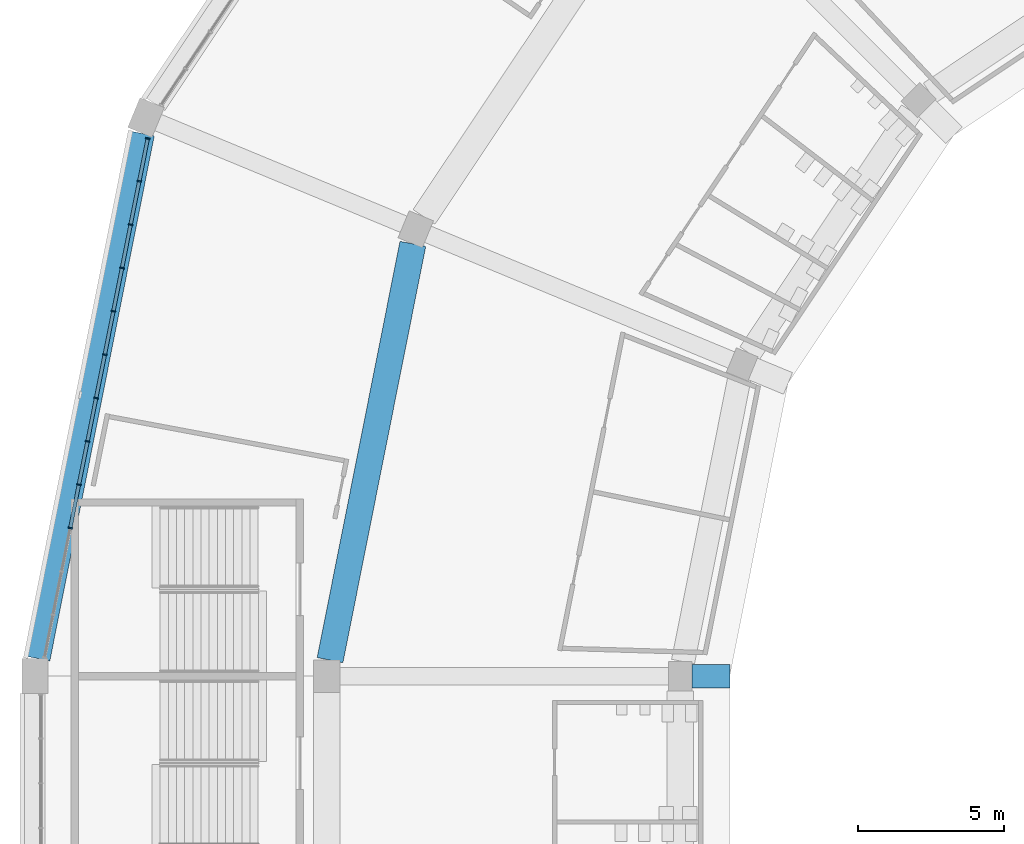
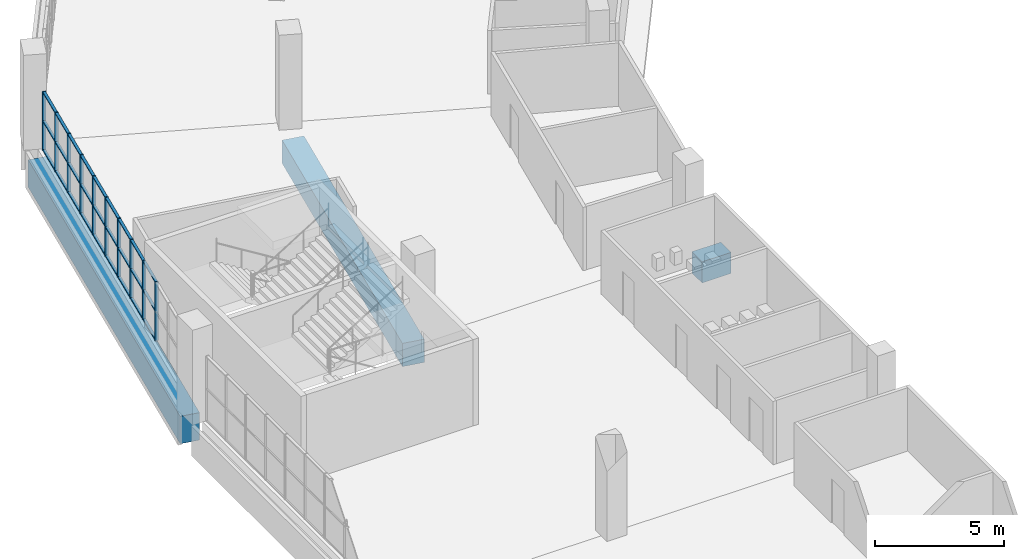
# One storey, part 36 of 199: 37 members, 3 beams, 1 element without a shape of its own.
"""IFC4 building model written with IfcOpenShell, lengths in metres."""

from ifc_helpers import new_model, si_unit, direction, frame, origin, origin_2d, place, context, subcontext, project, spatial, rectangle, extrude, material, material_profile, profile_set, type_object, element, aggregate, save


model = new_model("IFC4")

# Units and contexts
model_context = context("Model", 3, precision=1e-05, world=origin(), true_north=direction((0.0, 1.0)))
body_context = subcontext(model_context, "Body", "Model", "MODEL_VIEW")
ifc_project = project(units=[si_unit("LENGTHUNIT", "METRE"), si_unit("AREAUNIT", "SQUARE_METRE"), si_unit("VOLUMEUNIT", "CUBIC_METRE"), si_unit("PLANEANGLEUNIT", "RADIAN"), si_unit("MASSUNIT", "GRAM", prefix="KILO")], contexts=[model_context])

# Site, building, storey
site_placement = place(None, origin())
site = spatial("IfcSite", under=ifc_project, at=site_placement, CompositionType="ELEMENT")
building_placement = place(site_placement, origin())
building = spatial("IfcBuilding", under=site, at=building_placement, Name="Ogive Plaza Stadium", CompositionType="ELEMENT")
storey_placement = place(building_placement, frame((0.0, 0.0, 4.5)))
storey = spatial("IfcBuildingStorey", under=building, at=storey_placement, Name="L01", CompositionType="ELEMENT", Elevation=4.5)

# Curtain wall, members
ifc_material_1 = material(Name="Bronze-anodised aluminium with laminated glass", Category="aluminium")
curtain_wall_type = type_object("IfcCurtainWallType", Name="Lancet curtain wall", PredefinedType="NOTDEFINED", material=ifc_material_1)
curtain_wall_placement = place(storey_placement, origin())
curtain_wall = element("IfcCurtainWall", 1, at=curtain_wall_placement, inside=storey, type_object=curtain_wall_type, Name="CURTAIN WALL B28 L01", PredefinedType="NOTDEFINED")
ifc_material_2 = material(Name="Bronze-anodised aluminium", Category="aluminium")
ifc_material_profile_1 = material_profile(ifc_material_2, rectangle(XDim=0.14990234375, YDim=0.050048828125, at=origin_2d()), Name="AL 150x50")
ifc_profile_set_1 = profile_set([ifc_material_profile_1], Name="Bronze-anodised aluminium")
member_type_1 = type_object("IfcMemberType", Name="Curtain wall mullion 50x150", PredefinedType="MULLION", material=ifc_profile_set_1)
member_1_placement = place(storey_placement, frame((-82.786865234375, 57.57373046875, 0.0), z_axis=(0.0, 0.0, 1.0), x_axis=(-0.980785280403, 0.195090322016, 0.0)))
member_1 = element("IfcMember", 2, at=member_1_placement, type_object=member_type_1, Name="CW-B28-L01 mullion 4", PredefinedType="MULLION", context=body_context, shape_type="SweptSolid", body=[
    extrude(rectangle(XDim=0.14990234375, YDim=0.050048828125, at=origin_2d()), origin(), (0.0, 0.0, 1.0), 2.7900390625),
])
member_2_placement = place(storey_placement, frame((-82.491455078125, 59.05859375, 0.0), z_axis=(0.0, 0.0, 1.0), x_axis=(-0.980785280403, 0.195090322016, 0.0)))
member_2 = element("IfcMember", 3, at=member_2_placement, type_object=member_type_1, Name="CW-B28-L01 mullion 5", PredefinedType="MULLION", context=body_context, shape_type="SweptSolid", body=[
    extrude(rectangle(XDim=0.14990234375, YDim=0.050048828125, at=origin_2d()), origin(), (0.0, 0.0, 1.0), 2.7900390625),
])
member_3_placement = place(storey_placement, frame((-82.1962890625, 60.543212890625, 0.0), z_axis=(0.0, 0.0, 1.0), x_axis=(-0.980785280403, 0.195090322016, 0.0)))
member_3 = element("IfcMember", 4, at=member_3_placement, type_object=member_type_1, Name="CW-B28-L01 mullion 6", PredefinedType="MULLION", context=body_context, shape_type="SweptSolid", body=[
    extrude(rectangle(XDim=0.14990234375, YDim=0.050048828125, at=origin_2d()), origin(), (0.0, 0.0, 1.0), 2.7900390625),
])
member_4_placement = place(storey_placement, frame((-81.90087890625, 62.028076171875, 0.0), z_axis=(0.0, 0.0, 1.0), x_axis=(-0.980785280403, 0.195090322016, 0.0)))
member_4 = element("IfcMember", 5, at=member_4_placement, type_object=member_type_1, Name="CW-B28-L01 mullion 7", PredefinedType="MULLION", context=body_context, shape_type="SweptSolid", body=[
    extrude(rectangle(XDim=0.14990234375, YDim=0.050048828125, at=origin_2d()), origin(), (0.0, 0.0, 1.0), 2.7900390625),
])
member_5_placement = place(storey_placement, frame((-81.60546875, 63.512939453125, 0.0), z_axis=(0.0, 0.0, 1.0), x_axis=(-0.980785280403, 0.195090322016, 0.0)))
member_5 = element("IfcMember", 6, at=member_5_placement, type_object=member_type_1, Name="CW-B28-L01 mullion 8", PredefinedType="MULLION", context=body_context, shape_type="SweptSolid", body=[
    extrude(rectangle(XDim=0.14990234375, YDim=0.050048828125, at=origin_2d()), origin(), (0.0, 0.0, 1.0), 2.7900390625),
])
member_6_placement = place(storey_placement, frame((-81.31005859375, 64.99755859375, 0.0), z_axis=(0.0, 0.0, 1.0), x_axis=(-0.980785280403, 0.195090322016, 0.0)))
member_6 = element("IfcMember", 7, at=member_6_placement, type_object=member_type_1, Name="CW-B28-L01 mullion 9", PredefinedType="MULLION", context=body_context, shape_type="SweptSolid", body=[
    extrude(rectangle(XDim=0.14990234375, YDim=0.050048828125, at=origin_2d()), origin(), (0.0, 0.0, 1.0), 2.7900390625),
])
member_7_placement = place(storey_placement, frame((-81.014892578125, 66.482421875, 0.0), z_axis=(0.0, 0.0, 1.0), x_axis=(-0.980785280403, 0.195090322016, 0.0)))
member_7 = element("IfcMember", 8, at=member_7_placement, type_object=member_type_1, Name="CW-B28-L01 mullion 10", PredefinedType="MULLION", context=body_context, shape_type="SweptSolid", body=[
    extrude(rectangle(XDim=0.14990234375, YDim=0.050048828125, at=origin_2d()), origin(), (0.0, 0.0, 1.0), 2.7900390625),
])
member_8_placement = place(storey_placement, frame((-80.719482421875, 67.967041015625, 0.0), z_axis=(0.0, 0.0, 1.0), x_axis=(-0.980785280403, 0.195090322016, 0.0)))
member_8 = element("IfcMember", 9, at=member_8_placement, type_object=member_type_1, Name="CW-B28-L01 mullion 11", PredefinedType="MULLION", context=body_context, shape_type="SweptSolid", body=[
    extrude(rectangle(XDim=0.14990234375, YDim=0.050048828125, at=origin_2d()), origin(), (0.0, 0.0, 1.0), 2.7900390625),
])
member_9_placement = place(storey_placement, frame((-80.424072265625, 69.451904296875, 0.0), z_axis=(0.0, 0.0, 1.0), x_axis=(-0.980785280403, 0.195090322016, 0.0)))
member_9 = element("IfcMember", 10, at=member_9_placement, type_object=member_type_1, Name="CW-B28-L01 mullion 12", PredefinedType="MULLION", context=body_context, shape_type="SweptSolid", body=[
    extrude(rectangle(XDim=0.14990234375, YDim=0.050048828125, at=origin_2d()), origin(), (0.0, 0.0, 1.0), 2.7900390625),
])
member_10_placement = place(storey_placement, frame((-80.1337890625, 70.912109375, 0.0), z_axis=(0.0, 0.0, 1.0), x_axis=(-0.980785280403, 0.195090322016, 0.0)))
member_10 = element("IfcMember", 11, at=member_10_placement, type_object=member_type_1, Name="CW-B28-L01 mullion 13", PredefinedType="MULLION", context=body_context, shape_type="SweptSolid", body=[
    extrude(rectangle(XDim=0.14990234375, YDim=0.050048828125, at=origin_2d()), origin(), (0.0, 0.0, 1.0), 2.7900390625),
])
ifc_material_3 = material(Name="Bronze-anodised aluminium", Category="aluminium")
ifc_material_profile_2 = material_profile(ifc_material_3, rectangle(XDim=0.1201171875, YDim=0.050048828125, at=origin_2d()), Name="AL 120x50")
ifc_profile_set_2 = profile_set([ifc_material_profile_2], Name="Bronze-anodised aluminium")
member_type_2 = type_object("IfcMemberType", Name="Curtain wall transom 50x120", PredefinedType="USERDEFINED", material=ifc_profile_set_2)
member_11_placement = place(storey_placement, frame((-82.781982421875, 57.598388671875, 0.02490234375), z_axis=(0.195153744134, 0.980772662828, 0.0), x_axis=(-0.980772662828, 0.195153744134, 0.0)))
member_11 = element("IfcMember", 12, at=member_11_placement, type_object=member_type_2, Name="CW-B28-L01 transom 4.1", ObjectType="TRANSOM", PredefinedType="USERDEFINED", context=body_context, shape_type="SweptSolid", body=[
    extrude(rectangle(XDim=0.1201171875, YDim=0.050048828125, at=origin_2d()), origin(), (0.0, 0.0, 1.0), 1.463623046875),
])
member_12_placement = place(storey_placement, frame((-82.781982421875, 57.598388671875, 1.39501953125), z_axis=(0.195153744134, 0.980772662828, 0.0), x_axis=(-0.980772662828, 0.195153744134, 0.0)))
member_12 = element("IfcMember", 13, at=member_12_placement, type_object=member_type_2, Name="CW-B28-L01 transom 4.2", ObjectType="TRANSOM", PredefinedType="USERDEFINED", context=body_context, shape_type="SweptSolid", body=[
    extrude(rectangle(XDim=0.1201171875, YDim=0.050048828125, at=origin_2d()), origin(), (0.0, 0.0, 1.0), 1.463623046875),
])
member_13_placement = place(storey_placement, frame((-82.781982421875, 57.598388671875, 2.764892578125), z_axis=(0.195153744134, 0.980772662828, 0.0), x_axis=(-0.980772662828, 0.195153744134, 0.0)))
member_13 = element("IfcMember", 14, at=member_13_placement, type_object=member_type_2, Name="CW-B28-L01 transom 4.3", ObjectType="TRANSOM", PredefinedType="USERDEFINED", context=body_context, shape_type="SweptSolid", body=[
    extrude(rectangle(XDim=0.1201171875, YDim=0.050048828125, at=origin_2d()), origin(), (0.0, 0.0, 1.0), 1.463623046875),
])
member_14_placement = place(storey_placement, frame((-82.486572265625, 59.0830078125, 0.02490234375), z_axis=(0.195121823859, 0.980779013771, 0.0), x_axis=(-0.980779013771, 0.195121823859, 0.0)))
member_14 = element("IfcMember", 15, at=member_14_placement, type_object=member_type_2, Name="CW-B28-L01 transom 5.1", ObjectType="TRANSOM", PredefinedType="USERDEFINED", context=body_context, shape_type="SweptSolid", body=[
    extrude(rectangle(XDim=0.1201171875, YDim=0.050048828125, at=origin_2d()), origin(), (0.0, 0.0, 1.0), 1.4638671875),
])
member_15_placement = place(storey_placement, frame((-82.486572265625, 59.0830078125, 1.39501953125), z_axis=(0.195121823859, 0.980779013771, 0.0), x_axis=(-0.980779013771, 0.195121823859, 0.0)))
member_15 = element("IfcMember", 16, at=member_15_placement, type_object=member_type_2, Name="CW-B28-L01 transom 5.2", ObjectType="TRANSOM", PredefinedType="USERDEFINED", context=body_context, shape_type="SweptSolid", body=[
    extrude(rectangle(XDim=0.1201171875, YDim=0.050048828125, at=origin_2d()), origin(), (0.0, 0.0, 1.0), 1.4638671875),
])
member_16_placement = place(storey_placement, frame((-82.486572265625, 59.0830078125, 2.764892578125), z_axis=(0.195121823859, 0.980779013771, 0.0), x_axis=(-0.980779013771, 0.195121823859, 0.0)))
member_16 = element("IfcMember", 17, at=member_16_placement, type_object=member_type_2, Name="CW-B28-L01 transom 5.3", ObjectType="TRANSOM", PredefinedType="USERDEFINED", context=body_context, shape_type="SweptSolid", body=[
    extrude(rectangle(XDim=0.1201171875, YDim=0.050048828125, at=origin_2d()), origin(), (0.0, 0.0, 1.0), 1.4638671875),
])
member_17_placement = place(storey_placement, frame((-82.19140625, 60.56787109375, 0.02490234375), z_axis=(0.195121823859, 0.980779013771, 0.0), x_axis=(-0.980779013771, 0.195121823859, 0.0)))
member_17 = element("IfcMember", 18, at=member_17_placement, type_object=member_type_2, Name="CW-B28-L01 transom 6.1", ObjectType="TRANSOM", PredefinedType="USERDEFINED", context=body_context, shape_type="SweptSolid", body=[
    extrude(rectangle(XDim=0.1201171875, YDim=0.050048828125, at=origin_2d()), origin(), (0.0, 0.0, 1.0), 1.4638671875),
])
member_18_placement = place(storey_placement, frame((-82.19140625, 60.56787109375, 1.39501953125), z_axis=(0.195121823859, 0.980779013771, 0.0), x_axis=(-0.980779013771, 0.195121823859, 0.0)))
member_18 = element("IfcMember", 19, at=member_18_placement, type_object=member_type_2, Name="CW-B28-L01 transom 6.2", ObjectType="TRANSOM", PredefinedType="USERDEFINED", context=body_context, shape_type="SweptSolid", body=[
    extrude(rectangle(XDim=0.1201171875, YDim=0.050048828125, at=origin_2d()), origin(), (0.0, 0.0, 1.0), 1.4638671875),
])
member_19_placement = place(storey_placement, frame((-82.19140625, 60.56787109375, 2.764892578125), z_axis=(0.195121823859, 0.980779013771, 0.0), x_axis=(-0.980779013771, 0.195121823859, 0.0)))
member_19 = element("IfcMember", 20, at=member_19_placement, type_object=member_type_2, Name="CW-B28-L01 transom 6.3", ObjectType="TRANSOM", PredefinedType="USERDEFINED", context=body_context, shape_type="SweptSolid", body=[
    extrude(rectangle(XDim=0.1201171875, YDim=0.050048828125, at=origin_2d()), origin(), (0.0, 0.0, 1.0), 1.4638671875),
])
member_20_placement = place(storey_placement, frame((-81.89599609375, 62.052490234375, 0.02490234375), z_axis=(0.195121823859, 0.980779013771, 0.0), x_axis=(-0.980779013771, 0.195121823859, 0.0)))
member_20 = element("IfcMember", 21, at=member_20_placement, type_object=member_type_2, Name="CW-B28-L01 transom 7.1", ObjectType="TRANSOM", PredefinedType="USERDEFINED", context=body_context, shape_type="SweptSolid", body=[
    extrude(rectangle(XDim=0.1201171875, YDim=0.050048828125, at=origin_2d()), origin(), (0.0, 0.0, 1.0), 1.4638671875),
])
member_21_placement = place(storey_placement, frame((-81.89599609375, 62.052490234375, 1.39501953125), z_axis=(0.195121823859, 0.980779013771, 0.0), x_axis=(-0.980779013771, 0.195121823859, 0.0)))
member_21 = element("IfcMember", 22, at=member_21_placement, type_object=member_type_2, Name="CW-B28-L01 transom 7.2", ObjectType="TRANSOM", PredefinedType="USERDEFINED", context=body_context, shape_type="SweptSolid", body=[
    extrude(rectangle(XDim=0.1201171875, YDim=0.050048828125, at=origin_2d()), origin(), (0.0, 0.0, 1.0), 1.4638671875),
])
member_22_placement = place(storey_placement, frame((-81.89599609375, 62.052490234375, 2.764892578125), z_axis=(0.195121823859, 0.980779013771, 0.0), x_axis=(-0.980779013771, 0.195121823859, 0.0)))
member_22 = element("IfcMember", 23, at=member_22_placement, type_object=member_type_2, Name="CW-B28-L01 transom 7.3", ObjectType="TRANSOM", PredefinedType="USERDEFINED", context=body_context, shape_type="SweptSolid", body=[
    extrude(rectangle(XDim=0.1201171875, YDim=0.050048828125, at=origin_2d()), origin(), (0.0, 0.0, 1.0), 1.4638671875),
])
member_23_placement = place(storey_placement, frame((-81.6005859375, 63.537353515625, 0.02490234375), z_axis=(0.195121823859, 0.980779013771, 0.0), x_axis=(-0.980779013771, 0.195121823859, 0.0)))
member_23 = element("IfcMember", 24, at=member_23_placement, type_object=member_type_2, Name="CW-B28-L01 transom 8.1", ObjectType="TRANSOM", PredefinedType="USERDEFINED", context=body_context, shape_type="SweptSolid", body=[
    extrude(rectangle(XDim=0.1201171875, YDim=0.050048828125, at=origin_2d()), origin(), (0.0, 0.0, 1.0), 1.4638671875),
])
member_24_placement = place(storey_placement, frame((-81.6005859375, 63.537353515625, 1.39501953125), z_axis=(0.195121823859, 0.980779013771, 0.0), x_axis=(-0.980779013771, 0.195121823859, 0.0)))
member_24 = element("IfcMember", 25, at=member_24_placement, type_object=member_type_2, Name="CW-B28-L01 transom 8.2", ObjectType="TRANSOM", PredefinedType="USERDEFINED", context=body_context, shape_type="SweptSolid", body=[
    extrude(rectangle(XDim=0.1201171875, YDim=0.050048828125, at=origin_2d()), origin(), (0.0, 0.0, 1.0), 1.4638671875),
])
member_25_placement = place(storey_placement, frame((-81.6005859375, 63.537353515625, 2.764892578125), z_axis=(0.195121823859, 0.980779013771, 0.0), x_axis=(-0.980779013771, 0.195121823859, 0.0)))
member_25 = element("IfcMember", 26, at=member_25_placement, type_object=member_type_2, Name="CW-B28-L01 transom 8.3", ObjectType="TRANSOM", PredefinedType="USERDEFINED", context=body_context, shape_type="SweptSolid", body=[
    extrude(rectangle(XDim=0.1201171875, YDim=0.050048828125, at=origin_2d()), origin(), (0.0, 0.0, 1.0), 1.4638671875),
])
member_26_placement = place(storey_placement, frame((-81.30517578125, 65.022216796875, 0.02490234375), z_axis=(0.194993290732, 0.980804576136, 0.0), x_axis=(-0.980804576136, 0.194993290732, 0.0)))
member_26 = element("IfcMember", 27, at=member_26_placement, type_object=member_type_2, Name="CW-B28-L01 transom 9.1", ObjectType="TRANSOM", PredefinedType="USERDEFINED", context=body_context, shape_type="SweptSolid", body=[
    extrude(rectangle(XDim=0.1201171875, YDim=0.050048828125, at=origin_2d()), origin(), (0.0, 0.0, 1.0), 1.463623046875),
])
member_27_placement = place(storey_placement, frame((-81.30517578125, 65.022216796875, 1.39501953125), z_axis=(0.194993290732, 0.980804576136, 0.0), x_axis=(-0.980804576136, 0.194993290732, 0.0)))
member_27 = element("IfcMember", 28, at=member_27_placement, type_object=member_type_2, Name="CW-B28-L01 transom 9.2", ObjectType="TRANSOM", PredefinedType="USERDEFINED", context=body_context, shape_type="SweptSolid", body=[
    extrude(rectangle(XDim=0.1201171875, YDim=0.050048828125, at=origin_2d()), origin(), (0.0, 0.0, 1.0), 1.463623046875),
])
member_28_placement = place(storey_placement, frame((-81.30517578125, 65.022216796875, 2.764892578125), z_axis=(0.194993290732, 0.980804576136, 0.0), x_axis=(-0.980804576136, 0.194993290732, 0.0)))
member_28 = element("IfcMember", 29, at=member_28_placement, type_object=member_type_2, Name="CW-B28-L01 transom 9.3", ObjectType="TRANSOM", PredefinedType="USERDEFINED", context=body_context, shape_type="SweptSolid", body=[
    extrude(rectangle(XDim=0.1201171875, YDim=0.050048828125, at=origin_2d()), origin(), (0.0, 0.0, 1.0), 1.463623046875),
])
member_29_placement = place(storey_placement, frame((-81.010009765625, 66.5068359375, 0.02490234375), z_axis=(0.195121823859, 0.980779013771, 0.0), x_axis=(-0.980779013771, 0.195121823859, 0.0)))
member_29 = element("IfcMember", 30, at=member_29_placement, type_object=member_type_2, Name="CW-B28-L01 transom 10.1", ObjectType="TRANSOM", PredefinedType="USERDEFINED", context=body_context, shape_type="SweptSolid", body=[
    extrude(rectangle(XDim=0.1201171875, YDim=0.050048828125, at=origin_2d()), origin(), (0.0, 0.0, 1.0), 1.4638671875),
])
member_30_placement = place(storey_placement, frame((-81.010009765625, 66.5068359375, 1.39501953125), z_axis=(0.195121823859, 0.980779013771, 0.0), x_axis=(-0.980779013771, 0.195121823859, 0.0)))
member_30 = element("IfcMember", 31, at=member_30_placement, type_object=member_type_2, Name="CW-B28-L01 transom 10.2", ObjectType="TRANSOM", PredefinedType="USERDEFINED", context=body_context, shape_type="SweptSolid", body=[
    extrude(rectangle(XDim=0.1201171875, YDim=0.050048828125, at=origin_2d()), origin(), (0.0, 0.0, 1.0), 1.4638671875),
])
member_31_placement = place(storey_placement, frame((-81.010009765625, 66.5068359375, 2.764892578125), z_axis=(0.195121823859, 0.980779013771, 0.0), x_axis=(-0.980779013771, 0.195121823859, 0.0)))
member_31 = element("IfcMember", 32, at=member_31_placement, type_object=member_type_2, Name="CW-B28-L01 transom 10.3", ObjectType="TRANSOM", PredefinedType="USERDEFINED", context=body_context, shape_type="SweptSolid", body=[
    extrude(rectangle(XDim=0.1201171875, YDim=0.050048828125, at=origin_2d()), origin(), (0.0, 0.0, 1.0), 1.4638671875),
])
member_32_placement = place(storey_placement, frame((-80.714599609375, 67.99169921875, 0.02490234375), z_axis=(0.195153744134, 0.980772662828, 0.0), x_axis=(-0.980772662828, 0.195153744134, 0.0)))
member_32 = element("IfcMember", 33, at=member_32_placement, type_object=member_type_2, Name="CW-B28-L01 transom 11.1", ObjectType="TRANSOM", PredefinedType="USERDEFINED", context=body_context, shape_type="SweptSolid", body=[
    extrude(rectangle(XDim=0.1201171875, YDim=0.050048828125, at=origin_2d()), origin(), (0.0, 0.0, 1.0), 1.463623046875),
])
member_33_placement = place(storey_placement, frame((-80.714599609375, 67.99169921875, 1.39501953125), z_axis=(0.195153744134, 0.980772662828, 0.0), x_axis=(-0.980772662828, 0.195153744134, 0.0)))
member_33 = element("IfcMember", 34, at=member_33_placement, type_object=member_type_2, Name="CW-B28-L01 transom 11.2", ObjectType="TRANSOM", PredefinedType="USERDEFINED", context=body_context, shape_type="SweptSolid", body=[
    extrude(rectangle(XDim=0.1201171875, YDim=0.050048828125, at=origin_2d()), origin(), (0.0, 0.0, 1.0), 1.463623046875),
])
member_34_placement = place(storey_placement, frame((-80.714599609375, 67.99169921875, 2.764892578125), z_axis=(0.195153744134, 0.980772662828, 0.0), x_axis=(-0.980772662828, 0.195153744134, 0.0)))
member_34 = element("IfcMember", 35, at=member_34_placement, type_object=member_type_2, Name="CW-B28-L01 transom 11.3", ObjectType="TRANSOM", PredefinedType="USERDEFINED", context=body_context, shape_type="SweptSolid", body=[
    extrude(rectangle(XDim=0.1201171875, YDim=0.050048828125, at=origin_2d()), origin(), (0.0, 0.0, 1.0), 1.463623046875),
])
member_35_placement = place(storey_placement, frame((-80.419189453125, 69.476318359375, 0.02490234375), z_axis=(0.194941412722, 0.980814888552, 0.0), x_axis=(-0.980814888552, 0.194941412722, 0.0)))
member_35 = element("IfcMember", 36, at=member_35_placement, type_object=member_type_2, Name="CW-B28-L01 transom 12.1", ObjectType="TRANSOM", PredefinedType="USERDEFINED", context=body_context, shape_type="SweptSolid", body=[
    extrude(rectangle(XDim=0.1201171875, YDim=0.050048828125, at=origin_2d()), origin(), (0.0, 0.0, 1.0), 1.43896484375),
])
member_36_placement = place(storey_placement, frame((-80.419189453125, 69.476318359375, 1.39501953125), z_axis=(0.194941412722, 0.980814888552, 0.0), x_axis=(-0.980814888552, 0.194941412722, 0.0)))
member_36 = element("IfcMember", 37, at=member_36_placement, type_object=member_type_2, Name="CW-B28-L01 transom 12.2", ObjectType="TRANSOM", PredefinedType="USERDEFINED", context=body_context, shape_type="SweptSolid", body=[
    extrude(rectangle(XDim=0.1201171875, YDim=0.050048828125, at=origin_2d()), origin(), (0.0, 0.0, 1.0), 1.43896484375),
])
member_37_placement = place(storey_placement, frame((-80.419189453125, 69.476318359375, 2.764892578125), z_axis=(0.194941412722, 0.980814888552, 0.0), x_axis=(-0.980814888552, 0.194941412722, 0.0)))
member_37 = element("IfcMember", 38, at=member_37_placement, type_object=member_type_2, Name="CW-B28-L01 transom 12.3", ObjectType="TRANSOM", PredefinedType="USERDEFINED", context=body_context, shape_type="SweptSolid", body=[
    extrude(rectangle(XDim=0.1201171875, YDim=0.050048828125, at=origin_2d()), origin(), (0.0, 0.0, 1.0), 1.43896484375),
])
aggregate(curtain_wall, [member_1, member_2, member_3, member_4, member_5, member_6, member_7, member_8, member_9, member_10, member_11, member_12, member_13, member_14, member_15, member_16, member_17, member_18, member_19, member_20, member_21, member_22, member_23, member_24, member_25, member_26, member_27, member_28, member_29, member_30, member_31, member_32, member_33, member_34, member_35, member_36, member_37])

# Beams
ifc_material_4 = material(Name="Concrete C40/50", Category="concrete")
ifc_material_profile_3 = material_profile(ifc_material_4, rectangle(XDim=0.800048828125, YDim=1.0, at=origin_2d()), Name="RC 800x1000")
ifc_profile_set_3 = profile_set([ifc_material_profile_3], Name="Concrete C40/50")
beam_type_1 = type_object("IfcBeamType", Name="RC radial beam 800x1000", PredefinedType="BEAM", material=ifc_profile_set_3)
beam_1_placement = place(storey_placement, frame((-60.199951171875, 52.5, -0.909912109375), z_axis=(-1.0, 0.0, 0.0), x_axis=(0.0, -1.0, 0.0)))
element("IfcBeam", 39, at=beam_1_placement, inside=storey, type_object=beam_type_1, Name="Raker tail beam LT R28", PredefinedType="BEAM", context=body_context, shape_type="SweptSolid", body=[
    extrude(rectangle(XDim=0.800048828125, YDim=1.0, at=origin_2d()), origin(), (0.0, 0.0, 1.0), 1.300048828125),
])
ifc_material_5 = material(Name="Concrete C40/50", Category="concrete")
ifc_material_profile_4 = material_profile(ifc_material_5, rectangle(XDim=0.89990234375, YDim=1.10009765625, at=origin_2d()), Name="RC 900x1100")
ifc_profile_set_4 = profile_set([ifc_material_profile_4], Name="Concrete C40/50")
beam_type_2 = type_object("IfcBeamType", Name="RC ring beam 900x1100", PredefinedType="BEAM", material=ifc_profile_set_4)
beam_2_placement = place(storey_placement, frame((-73.890625, 53.050048828125, -0.9599609375), z_axis=(0.195088957992, 0.980785551724, 0.0), x_axis=(-0.980785551724, 0.195088957992, 0.0)))
element("IfcBeam", 40, at=beam_2_placement, inside=storey, type_object=beam_type_2, Name="Ring beam F4 L01 B28", PredefinedType="BEAM", context=body_context, shape_type="SweptSolid", body=[
    extrude(rectangle(XDim=0.89990234375, YDim=1.10009765625, at=origin_2d()), origin(), (0.0, 0.0, 1.0), 14.53662109375),
])
ifc_material_6 = material(Name="Concrete C40/50", Category="concrete")
ifc_material_profile_5 = material_profile(ifc_material_6, rectangle(XDim=0.800048828125, YDim=1.300048828125, at=origin_2d()), Name="RC 800x1300")
ifc_profile_set_5 = profile_set([ifc_material_profile_5], Name="Concrete C40/50")
beam_type_3 = type_object("IfcBeamType", Name="RC spandrel beam 800x1300", PredefinedType="SPANDREL", material=ifc_profile_set_5)
beam_3_placement = place(storey_placement, frame((-83.880615234375, 53.10009765625, -1.06005859375), z_axis=(0.195084152283, 0.980786507619, 0.0), x_axis=(-0.980786507619, 0.195084152283, 0.0)))
element("IfcBeam", 41, at=beam_3_placement, inside=storey, type_object=beam_type_3, Name="Ring beam F5 L01 B28", PredefinedType="SPANDREL", context=body_context, shape_type="SweptSolid", body=[
    extrude(rectangle(XDim=0.800048828125, YDim=1.300048828125, at=origin_2d()), origin(), (0.0, 0.0, 1.0), 18.33642578125),
])

save(model, "model.ifc")
